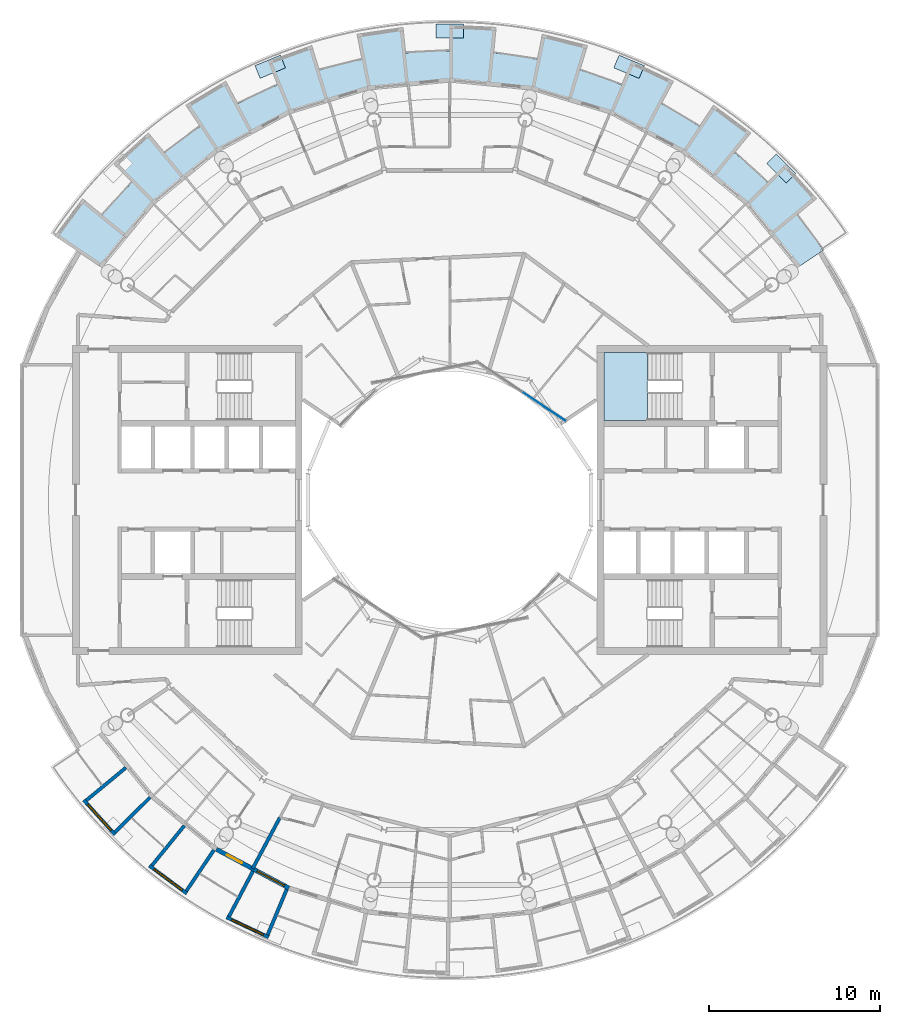
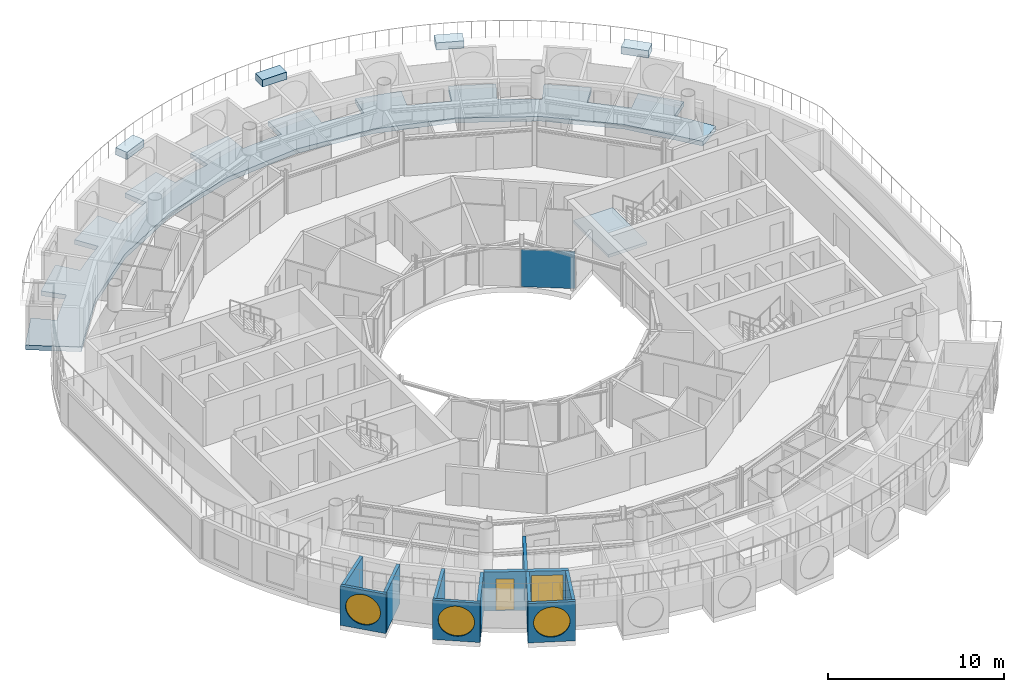
# One storey, part 11 of 25: 11 walls, 6 slabs, 4 windows, 1 door, 1 plate, 5 openings, 2 elements without a shape of their own.
"""IFC4 building model written with IfcOpenShell, lengths in metres."""

from ifc_helpers import new_model, si_unit, direction, frame, frame_2d, origin, origin_2d, place, context, subcontext, project, spatial, polyline, rectangle, circle, outline, extrude, material, layer, layer_set, type_object, element, fill, aggregate, save


model = new_model("IFC4")

# Units and contexts
model_context = context("Model", 3, precision=1e-05, world=origin(), true_north=direction((0.0, 1.0)))
body_context = subcontext(model_context, "Body", "Model", "MODEL_VIEW")
ifc_project = project(units=[si_unit("LENGTHUNIT", "METRE"), si_unit("AREAUNIT", "SQUARE_METRE"), si_unit("VOLUMEUNIT", "CUBIC_METRE"), si_unit("PLANEANGLEUNIT", "RADIAN"), si_unit("MASSUNIT", "GRAM", prefix="KILO")], contexts=[model_context])

# Site, building, storey
site_placement = place(None, origin())
site = spatial("IfcSite", under=ifc_project, at=site_placement, CompositionType="ELEMENT")
building_placement = place(site_placement, origin())
building = spatial("IfcBuilding", under=site, at=building_placement, Name="Maasbend Ring Residences", CompositionType="ELEMENT")
storey_placement = place(building_placement, frame((0.0, 0.0, 246.25)))
storey = spatial("IfcBuildingStorey", under=building, at=storey_placement, Name="L71", CompositionType="ELEMENT", Elevation=246.25)

# Stair, slab
ifc_material_1 = material(Name="Concrete C40/50", Category="concrete")
stair_type = type_object("IfcStairType", Name="CORE STAIR 18 RISERS", PredefinedType="HALF_TURN_STAIR", material=ifc_material_1)
stair_placement = place(storey_placement, origin())
stair = element("IfcStair", 1, at=stair_placement, inside=storey, type_object=stair_type, Name="L71 Exit stair ST-E1", PredefinedType="HALF_TURN_STAIR")
ifc_material_2 = material(Name="Concrete C40/50", Category="concrete")
ifc_layer_1 = layer(ifc_material_2, 0.199951171875)
ifc_layer_set_1 = layer_set([ifc_layer_1], Name="Concrete C40/50")
slab_type_1 = type_object("IfcSlabType", Name="CORE STAIR LANDING 200", PredefinedType="LANDING", material=ifc_layer_set_1)
slab_1_placement = place(storey_placement, frame((0.0, 0.0, 1.324951171875)))
slab_1 = element("IfcSlab", 2, at=slab_1_placement, type_object=slab_type_1, Name="ST-E1 landing 1", PredefinedType="LANDING", context=body_context, shape_type="SweptSolid", body=[
    extrude(outline(polyline([(11.550048828125, 8.60009765625), (9.0, 8.60009765625), (9.0, 4.64990234375), (11.550048828125, 4.64990234375), (11.550048828125, 8.60009765625)])), origin(), (0.0, 0.0, 1.0), 0.199951171875),
])
aggregate(stair, [slab_1])

# Curtain wall, plate
ifc_material_3 = material(Name="Aluminium and clear glass", Category="aluminium")
ifc_layer_2 = layer(ifc_material_3, 0.179931640625)
ifc_layer_set_2 = layer_set([ifc_layer_2], Name="CW-W")
curtain_wall_type = type_object("IfcCurtainWallType", Name="CW-W", PredefinedType="NOTDEFINED", material=ifc_layer_set_2)
curtain_wall_placement = place(storey_placement, origin())
curtain_wall = element("IfcCurtainWall", 3, at=curtain_wall_placement, inside=storey, type_object=curtain_wall_type, Name="Well curtain wall N1", PredefinedType="NOTDEFINED")
ifc_material_4 = material(Name="Glass clear laminated", Category="glass")
ifc_layer_3 = layer(ifc_material_4, 0.031982421875)
ifc_layer_set_3 = layer_set([ifc_layer_3], Name="CWP-W")
plate_type = type_object("IfcPlateType", Name="CWP-W", PredefinedType="CURTAIN_PANEL", material=ifc_layer_set_3)
plate_placement = place(storey_placement, frame((5.51123046875, 5.44580078125, 0.0), z_axis=(0.0, 0.0, 1.0), x_axis=(-0.831469612303, 0.55557023302, 0.0)))
plate = element("IfcPlate", 4, at=plate_placement, type_object=plate_type, Name="Glass panel well face", PredefinedType="CURTAIN_PANEL", context=body_context, shape_type="SweptSolid", body=[
    extrude(rectangle(XDim=3.053955078125, YDim=0.031982421875, at=origin_2d()), origin(), (0.0, 0.0, 1.0), 2.580078125),
])
aggregate(curtain_wall, [plate])

# Slabs
ifc_material_5 = material(Name="Lawn and planting")
ifc_layer_4 = layer(ifc_material_5, 0.5)
ifc_layer_set_4 = layer_set([ifc_layer_4], Name="PLANTER-CT")
slab_type_2 = type_object("IfcSlabType", Name="PLANTER-CT", PredefinedType="USERDEFINED", material=ifc_layer_set_4)
slab_2_placement = place(storey_placement, frame((0.0, 0.0, 3.050048828125)))
element("IfcSlab", 5, at=slab_2_placement, inside=storey, type_object=slab_type_2, Name="Terrace planter 1", ObjectType="PLANTER", PredefinedType="USERDEFINED", context=body_context, shape_type="SweptSolid", body=[
    extrude(outline(polyline([(20.18798828125, 19.056884765625), (19.056884765625, 20.18798828125), (18.490966796875, 19.6220703125), (19.6220703125, 18.490966796875), (20.18798828125, 19.056884765625)])), origin(), (0.0, 0.0, 1.0), 0.5),
])
slab_3_placement = place(storey_placement, frame((0.0, 0.0, 3.050048828125)))
element("IfcSlab", 6, at=slab_3_placement, inside=storey, type_object=slab_type_2, Name="Terrace planter 2", ObjectType="PLANTER", PredefinedType="USERDEFINED", context=body_context, shape_type="SweptSolid", body=[
    extrude(outline(polyline([(11.35888671875, 25.33203125), (9.8798828125, 25.944091796875), (9.573974609375, 25.205078125), (11.052001953125, 24.592041015625), (11.35888671875, 25.33203125)])), origin(), (0.0, 0.0, 1.0), 0.5),
])
slab_4_placement = place(storey_placement, frame((0.0, 0.0, 3.050048828125)))
element("IfcSlab", 7, at=slab_4_placement, inside=storey, type_object=slab_type_2, Name="Terrace planter 3", ObjectType="PLANTER", PredefinedType="USERDEFINED", context=body_context, shape_type="SweptSolid", body=[
    extrude(outline(polyline([(0.800048828125, 27.75), (-0.800048828125, 27.75), (-0.800048828125, 26.949951171875), (0.800048828125, 26.949951171875), (0.800048828125, 27.75)])), origin(), (0.0, 0.0, 1.0), 0.5),
])
slab_5_placement = place(storey_placement, frame((0.0, 0.0, 3.050048828125)))
element("IfcSlab", 8, at=slab_5_placement, inside=storey, type_object=slab_type_2, Name="Terrace planter 4", ObjectType="PLANTER", PredefinedType="USERDEFINED", context=body_context, shape_type="SweptSolid", body=[
    extrude(outline(polyline([(-9.8798828125, 25.944091796875), (-11.35888671875, 25.33203125), (-11.052001953125, 24.592041015625), (-9.573974609375, 25.205078125), (-9.8798828125, 25.944091796875)])), origin(), (0.0, 0.0, 1.0), 0.5),
])
ifc_material_6 = material(Name="Concrete C40/50", Category="concrete")
ifc_layer_5 = layer(ifc_material_6, 0.199951171875)
ifc_layer_set_5 = layer_set([ifc_layer_5], Name="Concrete C40/50")
slab_type_3 = type_object("IfcSlabType", Name="SL-LOGGIA", PredefinedType="FLOOR", material=ifc_layer_set_5)
slab_6_placement = place(storey_placement, frame((0.0, 0.0, -0.35009765625)))
element("IfcSlab", 9, at=slab_6_placement, inside=storey, type_object=slab_type_3, Name="Loggia floor 1", PredefinedType="FLOOR", context=body_context, shape_type="SweptSolid", body=[
    extrude(outline(polyline([(-23.031982421875, 15.388916015625), (-21.412109375, 17.572998046875), (-20.2529296875, 16.62109375), (-20.2529296875, 16.62109375), (-20.2529296875, 16.62109375), (-20.2529296875, 16.62109375), (-20.2529296875, 16.62109375), (-20.2529296875, 16.62109375), (-20.2529296875, 16.62109375), (-20.2529296875, 16.62109375), (-20.2529296875, 16.62109375), (-20.2529296875, 16.62109375), (-20.2529296875, 16.62109375), (-20.2529296875, 16.62109375), (-20.2529296875, 16.62109375), (-20.2529296875, 16.62109375), (-20.2529296875, 16.62109375), (-20.2529296875, 16.62109375), (-20.2529296875, 16.62109375), (-19.697998046875, 17.27490234375), (-19.1220703125, 17.909912109375), (-18.527099609375, 18.52587890625), (-18.527099609375, 18.52587890625), (-18.52587890625, 18.52587890625), (-18.52587890625, 18.52587890625), (-18.52587890625, 18.52587890625), (-18.52587890625, 18.52587890625), (-18.52587890625, 18.52587890625), (-18.52587890625, 18.52587890625), (-18.52587890625, 18.52587890625), (-18.52587890625, 18.52587890625), (-18.52587890625, 18.52587890625), (-18.52587890625, 18.52587890625), (-18.52587890625, 18.52587890625), (-18.52587890625, 18.52587890625), (-18.52587890625, 18.52587890625), (-18.527099609375, 18.527099609375), (-18.527099609375, 18.527099609375), (-19.5869140625, 19.5869140625), (-17.572998046875, 21.412109375), (-16.62109375, 20.2529296875), (-16.62109375, 20.2529296875), (-16.62109375, 20.2529296875), (-16.62109375, 20.2529296875), (-16.62109375, 20.2529296875), (-16.62109375, 20.2529296875), (-16.62109375, 20.2529296875), (-16.62109375, 20.2529296875), (-16.62109375, 20.2529296875), (-16.62109375, 20.2529296875), (-16.62109375, 20.2529296875), (-16.62109375, 20.2529296875), (-16.62109375, 20.2529296875), (-16.62109375, 20.2529296875), (-16.62109375, 20.2529296875), (-16.62109375, 20.2529296875), (-16.62109375, 20.2529296875), (-15.949951171875, 20.785888671875), (-15.260986328125, 21.297119140625), (-14.555908203125, 21.783935546875), (-14.555908203125, 21.783935546875), (-14.555908203125, 21.783935546875), (-14.555908203125, 21.783935546875), (-14.555908203125, 21.783935546875), (-14.555908203125, 21.783935546875), (-14.555908203125, 21.783935546875), (-14.555908203125, 21.783935546875), (-14.555908203125, 21.784912109375), (-14.555908203125, 21.784912109375), (-14.555908203125, 21.784912109375), (-14.555908203125, 21.784912109375), (-14.555908203125, 21.784912109375), (-14.555908203125, 21.784912109375), (-14.555908203125, 21.784912109375), (-14.555908203125, 21.784912109375), (-14.555908203125, 21.784912109375), (-15.388916015625, 23.031982421875), (-13.05810546875, 24.428955078125), (-12.35107421875, 23.10693359375), (-12.35107421875, 23.10693359375), (-12.35107421875, 23.10693359375), (-12.35107421875, 23.10693359375), (-12.35107421875, 23.10693359375), (-12.35107421875, 23.10693359375), (-12.35107421875, 23.10693359375), (-12.35107421875, 23.10693359375), (-12.35107421875, 23.10693359375), (-12.35009765625, 23.10693359375), (-12.35009765625, 23.10693359375), (-12.35009765625, 23.10693359375), (-12.35009765625, 23.10693359375), (-12.35009765625, 23.10693359375), (-12.35009765625, 23.10693359375), (-12.35009765625, 23.10693359375), (-12.35009765625, 23.10693359375), (-11.587890625, 23.498046875), (-10.81298828125, 23.864990234375), (-10.027099609375, 24.205078125), (-10.027099609375, 24.205078125), (-10.027099609375, 24.205078125), (-10.027099609375, 24.2060546875), (-10.027099609375, 24.2060546875), (-10.027099609375, 24.2060546875), (-10.027099609375, 24.2060546875), (-10.027099609375, 24.2060546875), (-10.02587890625, 24.2060546875), (-10.02587890625, 24.2060546875), (-10.02587890625, 24.2060546875), (-10.02587890625, 24.2060546875), (-10.02587890625, 24.2060546875), (-10.02587890625, 24.2060546875), (-10.02587890625, 24.2060546875), (-10.02587890625, 24.2060546875), (-10.02587890625, 24.2060546875), (-10.60009765625, 25.591064453125), (-8.041015625, 26.507080078125), (-7.60595703125, 25.072021484375), (-7.60595703125, 25.072021484375), (-7.60595703125, 25.072021484375), (-7.60595703125, 25.072021484375), (-7.60595703125, 25.072021484375), (-7.60498046875, 25.072021484375), (-7.60498046875, 25.072021484375), (-7.60498046875, 25.072021484375), (-7.60498046875, 25.072021484375), (-7.60498046875, 25.072021484375), (-7.60498046875, 25.072021484375), (-7.60498046875, 25.072021484375), (-7.60498046875, 25.072021484375), (-7.60498046875, 25.072021484375), (-7.60498046875, 25.072021484375), (-7.60498046875, 25.072021484375), (-7.60498046875, 25.072021484375), (-6.781005859375, 25.306884765625), (-5.948974609375, 25.51611328125), (-5.112060546875, 25.696044921875), (-5.112060546875, 25.696044921875), (-5.112060546875, 25.697021484375), (-5.112060546875, 25.697021484375), (-5.112060546875, 25.697021484375), (-5.112060546875, 25.697021484375), (-5.112060546875, 25.697021484375), (-5.112060546875, 25.697021484375), (-5.112060546875, 25.697021484375), (-5.112060546875, 25.697021484375), (-5.111083984375, 25.697021484375), (-5.111083984375, 25.697021484375), (-5.111083984375, 25.697021484375), (-5.111083984375, 25.697021484375), (-5.111083984375, 25.697021484375), (-5.111083984375, 25.697021484375), (-5.111083984375, 25.697021484375), (-5.404052734375, 27.16796875), (-2.715087890625, 27.56689453125), (-2.568115234375, 26.073974609375), (-2.568115234375, 26.073974609375), (-2.568115234375, 26.073974609375), (-2.568115234375, 26.073974609375), (-2.568115234375, 26.073974609375), (-2.568115234375, 26.073974609375), (-2.568115234375, 26.073974609375), (-2.568115234375, 26.073974609375), (-2.568115234375, 26.073974609375), (-2.568115234375, 26.073974609375), (-2.568115234375, 26.073974609375), (-2.568115234375, 26.073974609375), (-2.568115234375, 26.073974609375), (-2.568115234375, 26.073974609375), (-2.568115234375, 26.073974609375), (-2.568115234375, 26.073974609375), (-2.568115234375, 26.073974609375), (-1.714111328125, 26.14404296875), (-0.85693359375, 26.18603515625), (0.0, 26.199951171875), (0.0, 26.199951171875), (0.0, 26.199951171875), (0.0, 26.199951171875), (0.0, 26.199951171875), (0.0, 26.199951171875), (0.0, 26.199951171875), (0.0, 26.199951171875), (0.0, 26.199951171875), (0.0, 26.199951171875), (0.0, 26.199951171875), (0.0, 26.199951171875), (0.0, 26.199951171875), (0.0, 26.199951171875), (0.0, 26.199951171875), (0.0, 26.199951171875), (0.0, 26.199951171875), (0.0, 27.699951171875), (2.715087890625, 27.56689453125), (2.568115234375, 26.073974609375), (2.568115234375, 26.073974609375), (2.568115234375, 26.073974609375), (2.568115234375, 26.073974609375), (2.568115234375, 26.073974609375), (2.568115234375, 26.073974609375), (2.568115234375, 26.073974609375), (2.568115234375, 26.073974609375), (2.568115234375, 26.073974609375), (2.568115234375, 26.073974609375), (2.568115234375, 26.073974609375), (2.568115234375, 26.073974609375), (2.568115234375, 26.073974609375), (2.568115234375, 26.073974609375), (2.568115234375, 26.073974609375), (2.568115234375, 26.073974609375), (2.569091796875, 26.073974609375), (3.419921875, 25.97607421875), (4.26806640625, 25.85009765625), (5.111083984375, 25.697021484375), (5.111083984375, 25.697021484375), (5.111083984375, 25.697021484375), (5.111083984375, 25.697021484375), (5.111083984375, 25.697021484375), (5.111083984375, 25.697021484375), (5.111083984375, 25.697021484375), (5.111083984375, 25.697021484375), (5.111083984375, 25.697021484375), (5.111083984375, 25.697021484375), (5.111083984375, 25.697021484375), (5.111083984375, 25.697021484375), (5.111083984375, 25.697021484375), (5.111083984375, 25.697021484375), (5.111083984375, 25.697021484375), (5.111083984375, 25.697021484375), (5.111083984375, 25.697021484375), (5.404052734375, 27.16796875), (8.041015625, 26.507080078125), (7.60595703125, 25.072021484375), (7.60595703125, 25.072021484375), (7.60595703125, 25.072021484375), (7.60595703125, 25.072021484375), (7.60595703125, 25.072021484375), (7.60595703125, 25.072021484375), (7.60595703125, 25.072021484375), (7.60595703125, 25.072021484375), (7.60595703125, 25.072021484375), (7.60595703125, 25.072021484375), (7.60595703125, 25.072021484375), (7.60595703125, 25.072021484375), (7.60595703125, 25.072021484375), (7.60595703125, 25.072021484375), (7.60595703125, 25.072021484375), (7.60595703125, 25.072021484375), (7.60595703125, 25.072021484375), (8.422119140625, 24.81005859375), (9.22900390625, 24.52099609375), (10.02587890625, 24.2060546875), (10.02587890625, 24.2060546875), (10.02587890625, 24.2060546875), (10.02587890625, 24.2060546875), (10.02587890625, 24.2060546875), (10.02587890625, 24.2060546875), (10.02587890625, 24.2060546875), (10.02587890625, 24.2060546875), (10.02587890625, 24.2060546875), (10.02587890625, 24.2060546875), (10.02587890625, 24.2060546875), (10.02587890625, 24.2060546875), (10.02587890625, 24.2060546875), (10.02587890625, 24.2060546875), (10.02587890625, 24.2060546875), (10.02587890625, 24.2060546875), (10.02587890625, 24.2060546875), (10.60009765625, 25.591064453125), (13.05810546875, 24.428955078125), (12.35107421875, 23.10693359375), (12.35107421875, 23.10693359375), (12.35107421875, 23.10693359375), (12.35107421875, 23.10693359375), (12.35107421875, 23.10693359375), (12.35107421875, 23.10693359375), (12.35107421875, 23.10595703125), (12.35107421875, 23.10595703125), (12.35107421875, 23.10595703125), (12.35107421875, 23.10595703125), (12.35107421875, 23.10595703125), (12.35107421875, 23.10595703125), (12.35107421875, 23.10595703125), (12.35107421875, 23.10595703125), (12.35107421875, 23.10595703125), (12.35107421875, 23.10595703125), (12.35107421875, 23.10595703125), (13.10009765625, 22.68994140625), (13.8349609375, 22.2490234375), (14.555908203125, 21.784912109375), (14.555908203125, 21.784912109375), (14.555908203125, 21.784912109375), (14.555908203125, 21.784912109375), (14.555908203125, 21.784912109375), (14.555908203125, 21.784912109375), (14.555908203125, 21.784912109375), (14.555908203125, 21.784912109375), (14.555908203125, 21.784912109375), (14.555908203125, 21.784912109375), (14.555908203125, 21.784912109375), (14.555908203125, 21.784912109375), (14.555908203125, 21.784912109375), (14.555908203125, 21.784912109375), (14.555908203125, 21.784912109375), (14.555908203125, 21.784912109375), (14.555908203125, 21.784912109375), (15.388916015625, 23.031982421875), (17.572998046875, 21.412109375), (16.62109375, 20.2529296875), (16.62109375, 20.2529296875), (16.62109375, 20.2529296875), (16.62109375, 20.2529296875), (16.62109375, 20.2529296875), (16.62109375, 20.2529296875), (16.62109375, 20.2529296875), (16.62109375, 20.2529296875), (16.62109375, 20.2529296875), (16.62109375, 20.2529296875), (16.62109375, 20.2529296875), (16.62109375, 20.2529296875), (16.62109375, 20.2529296875), (16.62109375, 20.2529296875), (16.62109375, 20.2529296875), (16.62109375, 20.2529296875), (16.62109375, 20.2529296875), (17.27490234375, 19.697998046875), (17.909912109375, 19.1220703125), (18.52587890625, 18.527099609375), (18.52587890625, 18.527099609375), (18.52587890625, 18.52587890625), (18.52587890625, 18.52587890625), (18.52587890625, 18.52587890625), (18.52587890625, 18.52587890625), (18.52587890625, 18.52587890625), (18.52587890625, 18.52587890625), (18.52587890625, 18.52587890625), (18.52587890625, 18.52587890625), (18.52587890625, 18.52587890625), (18.52587890625, 18.52587890625), (18.52587890625, 18.52587890625), (18.52587890625, 18.52587890625), (18.52587890625, 18.52587890625), (18.527099609375, 18.527099609375), (18.527099609375, 18.527099609375), (19.5869140625, 19.5869140625), (21.412109375, 17.572998046875), (20.2529296875, 16.62109375), (20.2529296875, 16.62109375), (20.2529296875, 16.62109375), (20.2529296875, 16.62109375), (20.2529296875, 16.62109375), (20.2529296875, 16.62109375), (20.2529296875, 16.62109375), (20.2529296875, 16.62109375), (20.2529296875, 16.62109375), (20.2529296875, 16.62109375), (20.2529296875, 16.62109375), (20.2529296875, 16.62109375), (20.2529296875, 16.62109375), (20.2529296875, 16.62109375), (20.2529296875, 16.62109375), (20.2529296875, 16.62109375), (20.2529296875, 16.62109375), (20.785888671875, 15.949951171875), (21.297119140625, 15.260986328125), (21.783935546875, 14.555908203125), (20.37109375, 13.611083984375), (18.847900390625, 15.468017578125), (17.323974609375, 17.323974609375), (17.323974609375, 17.323974609375), (17.323974609375, 17.323974609375), (15.468017578125, 18.847900390625), (13.612060546875, 20.37109375), (13.611083984375, 20.37109375), (13.611083984375, 20.37109375), (11.493896484375, 21.5029296875), (9.3759765625, 22.635009765625), (9.3759765625, 22.635009765625), (9.3759765625, 22.635009765625), (7.077880859375, 23.33203125), (4.780029296875, 24.029052734375), (4.780029296875, 24.029052734375), (4.780029296875, 24.029052734375), (2.389892578125, 24.264892578125), (0.0, 24.5), (0.0, 24.5), (0.0, 24.5), (-2.389892578125, 24.264892578125), (-4.780029296875, 24.029052734375), (-4.780029296875, 24.029052734375), (-4.780029296875, 24.029052734375), (-7.077880859375, 23.33203125), (-9.3759765625, 22.635009765625), (-9.3759765625, 22.635009765625), (-9.3759765625, 22.635009765625), (-11.493896484375, 21.5029296875), (-13.611083984375, 20.37109375), (-13.611083984375, 20.37109375), (-13.612060546875, 20.37109375), (-15.468017578125, 18.847900390625), (-17.323974609375, 17.323974609375), (-17.323974609375, 17.323974609375), (-17.323974609375, 17.323974609375), (-18.847900390625, 15.468017578125), (-20.37109375, 13.611083984375), (-23.031982421875, 15.388916015625)])), origin(), (0.0, 0.0, 1.0), 0.320068359375),
])

# Wall, opening, window
ifc_material_7 = material(Name="Pale anodised aluminium panel", Category="aluminium")
ifc_layer_6 = layer(ifc_material_7, 0.199951171875)
ifc_layer_set_6 = layer_set([ifc_layer_6], Name="EW-BOX")
wall_type_1 = type_object("IfcWallType", Name="EW-BOX", PredefinedType="SOLIDWALL", material=ifc_layer_set_6)
wall_1_placement = place(storey_placement, frame((-21.337890625, -17.506103515625, -0.030029296875), z_axis=(0.0, 0.0, 1.0), x_axis=(0.671487056022, -0.741016284298, 0.0)))
wall_1 = element("IfcWall", 10, at=wall_1_placement, inside=storey, type_object=wall_type_1, Name="Box front S02", PredefinedType="SOLIDWALL", context=body_context, shape_type="SweptSolid", body=[
    extrude(rectangle(XDim=2.7177734375, YDim=0.199951171875, at=frame_2d((1.35888671875, 0.0))), origin(), (0.0, 0.0, 1.0), 2.72998046875),
])
opening_1_placement = place(wall_1_placement, frame((0.319091796875, 0.0, 0.330078125)))
opening_1 = element("IfcOpeningElement", 11, at=opening_1_placement, cuts=wall_1, Name="Opening W-RD", PredefinedType="OPENING", context=body_context, shape_type="SweptSolid", body=[
    extrude(circle(Radius=1.0400390625, at=frame_2d((1.0400390625, 1.0400390625))), frame((0.0, 0.10986328125, 0.0), z_axis=(0.0, -1.0, 0.0), x_axis=(1.0, 0.0, 0.0)), (0.0, 0.0, 1.0), 0.219970703125),
])
ifc_material_8 = material(Name="Aluminium and clear glass", Category="aluminium")
window_type_1 = type_object("IfcWindowType", Name="W-RD", PartitioningType="SINGLE_PANEL", PredefinedType="WINDOW", material=ifc_material_8)
window_1_placement = place(opening_1_placement, origin())
window_1 = element("IfcWindow", 12, at=window_1_placement, inside=storey, type_object=window_type_1, Name="Round window S02", OverallHeight=2.080078125, OverallWidth=2.080078125, PartitioningType="SINGLE_PANEL", PredefinedType="WINDOW", context=body_context, shape_type="SweptSolid", body=[
    extrude(circle(Radius=1.0400390625, at=frame_2d((1.0400390625, 1.0400390625))), frame((0.0, 0.030029296875, 0.0), z_axis=(0.0, -1.0, 0.0), x_axis=(1.0, 0.0, 0.0)), (0.0, 0.0, 1.0), 0.06005859375),
])
fill(opening_1, window_1)

# Walls
wall_2_placement = place(storey_placement, frame((-18.887939453125, -15.614990234375, -0.030029296875), z_axis=(0.0, 0.0, 1.0), x_axis=(-0.770489638069, -0.637452521862, 0.0)))
element("IfcWall", 13, at=wall_2_placement, inside=storey, type_object=wall_type_1, Name="Box side wall S02 left", PredefinedType="SOLIDWALL", context=body_context, shape_type="SweptSolid", body=[
    extrude(rectangle(XDim=2.9931640625, YDim=0.199951171875, at=frame_2d((1.49658203125, 0.0))), origin(), (0.0, 0.0, 1.0), 2.72998046875),
])
wall_3_placement = place(storey_placement, frame((-17.469970703125, -17.343994140625, -0.030029296875), z_axis=(0.0, 0.0, 1.0), x_axis=(-0.709896457854, -0.704306055012, 0.0)))
element("IfcWall", 14, at=wall_3_placement, inside=storey, type_object=wall_type_1, Name="Box side wall S02 right", PredefinedType="SOLIDWALL", context=body_context, shape_type="SweptSolid", body=[
    extrude(rectangle(XDim=2.88232421875, YDim=0.199951171875, at=frame_2d((1.441162109375, 0.0))), origin(), (0.0, 0.0, 1.0), 2.72998046875),
])

# Wall, opening, window
wall_4_placement = place(storey_placement, frame((-17.512939453125, -21.33203125, -0.030029296875), z_axis=(0.0, 0.0, 1.0), x_axis=(0.803211723794, -0.59569365177, 0.0)))
wall_4 = element("IfcWall", 15, at=wall_4_placement, inside=storey, type_object=wall_type_1, Name="Box front S04", PredefinedType="SOLIDWALL", context=body_context, shape_type="SweptSolid", body=[
    extrude(rectangle(XDim=2.7177734375, YDim=0.199951171875, at=frame_2d((1.35888671875, 0.0))), origin(), (0.0, 0.0, 1.0), 2.72998046875),
])
opening_2_placement = place(wall_4_placement, frame((0.319091796875, 0.0, 0.330078125)))
opening_2 = element("IfcOpeningElement", 16, at=opening_2_placement, cuts=wall_4, Name="Opening W-RD", PredefinedType="OPENING", context=body_context, shape_type="SweptSolid", body=[
    extrude(circle(Radius=1.0400390625, at=frame_2d((1.0400390625, 1.0400390625))), frame((0.0, 0.10986328125, 0.0), z_axis=(0.0, -1.0, 0.0), x_axis=(1.0, 0.0, 0.0)), (0.0, 0.0, 1.0), 0.219970703125),
])
window_2_placement = place(opening_2_placement, origin())
window_2 = element("IfcWindow", 17, at=window_2_placement, inside=storey, type_object=window_type_1, Name="Round window S04", OverallHeight=2.080078125, OverallWidth=2.080078125, PartitioningType="SINGLE_PANEL", PredefinedType="WINDOW", context=body_context, shape_type="SweptSolid", body=[
    extrude(circle(Radius=1.0400390625, at=frame_2d((1.0400390625, 1.0400390625))), frame((0.0, 0.030029296875, 0.0), z_axis=(0.0, -1.0, 0.0), x_axis=(1.0, 0.0, 0.0)), (0.0, 0.0, 1.0), 0.06005859375),
])
fill(opening_2, window_2)

# Walls
wall_5_placement = place(storey_placement, frame((-15.47900390625, -19.0, -0.030029296875), z_axis=(0.0, 0.0, 1.0), x_axis=(-0.631209771017, -0.775612161439, 0.0)))
element("IfcWall", 18, at=wall_5_placement, inside=storey, type_object=wall_type_1, Name="Box side wall S04 left", PredefinedType="SOLIDWALL", context=body_context, shape_type="SweptSolid", body=[
    extrude(rectangle(XDim=2.992431640625, YDim=0.199951171875, at=frame_2d((1.49609375, 0.0))), origin(), (0.0, 0.0, 1.0), 2.72998046875),
])
wall_6_placement = place(storey_placement, frame((-13.75, -20.4189453125, -0.030029296875), z_axis=(0.0, 0.0, 1.0), x_axis=(-0.558934498222, -0.829211810515, 0.0)))
element("IfcWall", 19, at=wall_6_placement, inside=storey, type_object=wall_type_1, Name="Box side wall S04 right", PredefinedType="SOLIDWALL", context=body_context, shape_type="SweptSolid", body=[
    extrude(rectangle(XDim=2.88232421875, YDim=0.199951171875, at=frame_2d((1.441162109375, 0.0))), origin(), (0.0, 0.0, 1.0), 2.72998046875),
])

# Wall, opening, window
wall_7_placement = place(storey_placement, frame((-13.014892578125, -24.339111328125, -0.030029296875), z_axis=(0.0, 0.0, 1.0), x_axis=(0.904004727627, -0.42752245839, 0.0)))
wall_7 = element("IfcWall", 20, at=wall_7_placement, inside=storey, type_object=wall_type_1, Name="Box front S06", PredefinedType="SOLIDWALL", context=body_context, shape_type="SweptSolid", body=[
    extrude(rectangle(XDim=2.7177734375, YDim=0.199951171875, at=frame_2d((1.35888671875, 0.0))), origin(), (0.0, 0.0, 1.0), 2.72998046875),
])
opening_3_placement = place(wall_7_placement, frame((0.319091796875, 0.0, 0.330078125)))
opening_3 = element("IfcOpeningElement", 21, at=opening_3_placement, cuts=wall_7, Name="Opening W-RD", PredefinedType="OPENING", context=body_context, shape_type="SweptSolid", body=[
    extrude(circle(Radius=1.0400390625, at=frame_2d((1.0400390625, 1.0400390625))), frame((0.0, 0.10986328125, 0.0), z_axis=(0.0, -1.0, 0.0), x_axis=(1.0, 0.0, 0.0)), (0.0, 0.0, 1.0), 0.219970703125),
])
window_3_placement = place(opening_3_placement, origin())
window_3 = element("IfcWindow", 22, at=window_3_placement, inside=storey, type_object=window_type_1, Name="Round window S06", OverallHeight=2.080078125, OverallWidth=2.080078125, PartitioningType="SINGLE_PANEL", PredefinedType="WINDOW", context=body_context, shape_type="SweptSolid", body=[
    extrude(circle(Radius=1.0400390625, at=frame_2d((1.0400390625, 1.0400390625))), frame((0.0, 0.030029296875, 0.0), z_axis=(0.0, -1.0, 0.0), x_axis=(1.0, 0.0, 0.0)), (0.0, 0.0, 1.0), 0.06005859375),
])
fill(opening_3, window_3)

# Walls
wall_8_placement = place(storey_placement, frame((-11.47509765625, -21.655029296875, -0.030029296875), z_axis=(0.0, 0.0, 1.0), x_axis=(-0.467917715158, -0.883772036128, 0.0)))
element("IfcWall", 23, at=wall_8_placement, inside=storey, type_object=wall_type_1, Name="Box side wall S06 left", PredefinedType="SOLIDWALL", context=body_context, shape_type="SweptSolid", body=[
    extrude(rectangle(XDim=2.99169921875, YDim=0.199951171875, at=frame_2d((1.495849609375, 0.0))), origin(), (0.0, 0.0, 1.0), 2.72998046875),
])
wall_9_placement = place(storey_placement, frame((-9.5029296875, -22.708984375, -0.030029296875), z_axis=(0.0, 0.0, 1.0), x_axis=(-0.386136412103, -0.922441689891, 0.0)))
element("IfcWall", 24, at=wall_9_placement, inside=storey, type_object=wall_type_1, Name="Box side wall S06 right", PredefinedType="SOLIDWALL", context=body_context, shape_type="SweptSolid", body=[
    extrude(rectangle(XDim=2.882568359375, YDim=0.199951171875, at=frame_2d((1.44140625, 0.0))), origin(), (0.0, 0.0, 1.0), 2.72998046875),
])

# Wall, openings, door, window
ifc_material_9 = material(Name="Aluminium clad insulated panel", Category="aluminium")
ifc_layer_7 = layer(ifc_material_9, 0.25)
ifc_layer_set_7 = layer_set([ifc_layer_7], Name="EW-GL")
wall_type_2 = type_object("IfcWallType", Name="EW-GL", PredefinedType="SOLIDWALL", material=ifc_layer_set_7)
wall_10_placement = place(storey_placement, frame((-13.611083984375, -20.37109375, 0.0), z_axis=(0.0, 0.0, 1.0), x_axis=(0.881903608701, -0.471429766731, 0.0)))
wall_10 = element("IfcWall", 25, at=wall_10_placement, inside=storey, type_object=wall_type_2, Name="External wall S03", PredefinedType="SOLIDWALL", context=body_context, shape_type="SweptSolid", body=[
    extrude(rectangle(XDim=4.80224609375, YDim=0.25, at=frame_2d((2.401123046875, 0.0))), origin(), (0.0, 0.0, 1.0), 2.699951171875),
])
opening_4_placement = place(wall_10_placement, frame((0.70361328125, 0.0, 0.0)))
opening_4 = element("IfcOpeningElement", 26, at=opening_4_placement, cuts=wall_10, Name="Opening D-LG", PredefinedType="OPENING", context=body_context, shape_type="SweptSolid", body=[
    extrude(rectangle(XDim=1.0, YDim=2.199951171875, at=frame_2d((0.5, 1.10009765625))), frame((0.0, 0.135009765625, 0.0), z_axis=(0.0, -1.0, 0.0), x_axis=(1.0, 0.0, 0.0)), (0.0, 0.0, 1.0), 0.27001953125),
])
opening_5_placement = place(wall_10_placement, frame((2.69921875, 0.0, 0.300048828125)))
opening_5 = element("IfcOpeningElement", 27, at=opening_5_placement, cuts=wall_10, Name="Opening W-BX", PredefinedType="OPENING", context=body_context, shape_type="SweptSolid", body=[
    extrude(rectangle(XDim=1.800048828125, YDim=2.10009765625, at=frame_2d((0.89990234375, 1.050048828125))), frame((0.0, 0.135009765625, 0.0), z_axis=(0.0, -1.0, 0.0), x_axis=(1.0, 0.0, 0.0)), (0.0, 0.0, 1.0), 0.27001953125),
])
ifc_material_10 = material(Name="Aluminium and clear glass", Category="aluminium")
door_type = type_object("IfcDoorType", Name="D-LG", OperationType="SINGLE_SWING_LEFT", PredefinedType="DOOR", material=ifc_material_10)
door_placement = place(opening_4_placement, origin())
door = element("IfcDoor", 28, at=door_placement, inside=storey, type_object=door_type, Name="Loggia door S05", OperationType="SINGLE_SWING_LEFT", OverallHeight=2.199951171875, OverallWidth=1.0, PredefinedType="DOOR", context=body_context, shape_type="SweptSolid", body=[
    extrude(rectangle(XDim=1.0, YDim=2.199951171875, at=frame_2d((0.5, 1.10009765625))), frame((0.0, 0.02490234375, 0.0), z_axis=(0.0, -1.0, 0.0), x_axis=(1.0, 0.0, 0.0)), (0.0, 0.0, 1.0), 0.050048828125),
])
fill(opening_4, door)
ifc_material_11 = material(Name="Aluminium and clear glass", Category="aluminium")
window_type_2 = type_object("IfcWindowType", Name="W-BX", PartitioningType="DOUBLE_PANEL_VERTICAL", PredefinedType="WINDOW", material=ifc_material_11)
window_4_placement = place(opening_5_placement, origin())
window_4 = element("IfcWindow", 29, at=window_4_placement, inside=storey, type_object=window_type_2, Name="Window S06 room to box", OverallHeight=2.10009765625, OverallWidth=1.800048828125, PartitioningType="SINGLE_PANEL", PredefinedType="WINDOW", context=body_context, shape_type="SweptSolid", body=[
    extrude(rectangle(XDim=1.800048828125, YDim=2.10009765625, at=frame_2d((0.89990234375, 1.050048828125))), frame((0.0, 0.030029296875, 0.0), z_axis=(0.0, -1.0, 0.0), x_axis=(1.0, 0.0, 0.0)), (0.0, 0.0, 1.0), 0.06005859375),
])
fill(opening_5, window_4)

# Wall
ifc_material_12 = material(Name="Concrete C30/37", Category="concrete")
ifc_layer_8 = layer(ifc_material_12, 0.199951171875)
ifc_layer_set_8 = layer_set([ifc_layer_8], Name="Concrete C30/37")
wall_type_3 = type_object("IfcWallType", Name="PARTY WALL 200 CONCRETE", PredefinedType="PARTITIONING", material=ifc_layer_set_8)
wall_11_placement = place(storey_placement, frame((-11.489990234375, -21.4970703125, 0.0), z_axis=(0.0, 0.0, 1.0), x_axis=(0.471350113087, 0.881946183671, 0.0)))
element("IfcWall", 30, at=wall_11_placement, inside=storey, type_object=wall_type_3, Name="U-L71-w043", PredefinedType="PARTITIONING", context=body_context, shape_type="SweptSolid", body=[
    extrude(rectangle(XDim=3.37548828125, YDim=0.199951171875, at=frame_2d((1.687744140625, 0.0))), origin(), (0.0, 0.0, 1.0), 2.699951171875),
])

save(model, "model.ifc")
